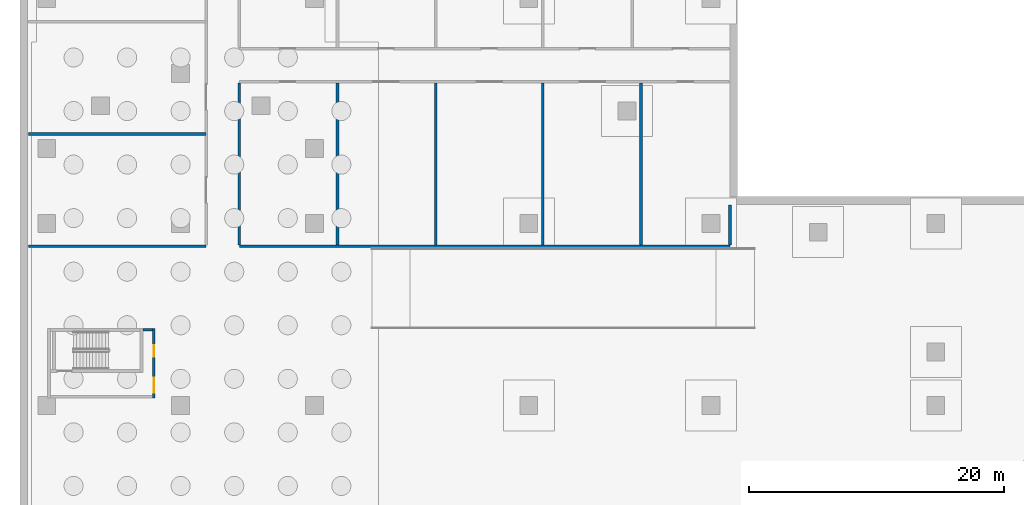
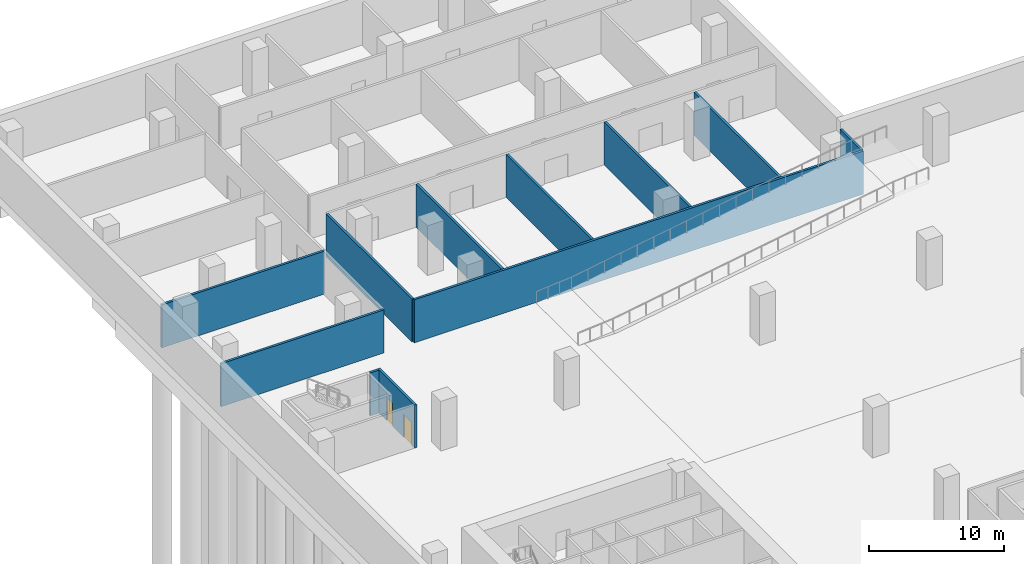
# One storey, part 7 of 13: 11 walls, 2 doors, 2 openings.
"""IFC4 building model written with IfcOpenShell, lengths in metres."""

from ifc_helpers import new_model, si_unit, direction, frame, frame_2d, origin, place, context, subcontext, project, spatial, rectangle, extrude, source, transform, mapped, material, layer, layer_set, type_object, element, fill, save


model = new_model("IFC4")

# Units and contexts
model_context = context("Model", 3, precision=1e-05, world=origin(), true_north=direction((0.0, 1.0)))
body_context = subcontext(model_context, "Body", "Model", "MODEL_VIEW")
ifc_project = project(units=[si_unit("LENGTHUNIT", "METRE"), si_unit("AREAUNIT", "SQUARE_METRE"), si_unit("VOLUMEUNIT", "CUBIC_METRE"), si_unit("PLANEANGLEUNIT", "RADIAN"), si_unit("MASSUNIT", "GRAM", prefix="KILO")], contexts=[model_context])

# Site, building, storey
site_placement = place(None, origin())
site = spatial("IfcSite", under=ifc_project, at=site_placement, CompositionType="ELEMENT")
building_placement = place(site_placement, origin())
building = spatial("IfcBuilding", under=site, at=building_placement, Name="Aurelian Terraces", CompositionType="ELEMENT")
storey_placement = place(building_placement, frame((0.0, 0.0, -13.5)))
storey = spatial("IfcBuildingStorey", under=building, at=storey_placement, Name="B3", CompositionType="ELEMENT", Elevation=-13.5)

# Walls
ifc_material_1 = material(Name="Gypsum board on steel studs", Category="steel")
ifc_layer_1 = layer(ifc_material_1, 0.2)
ifc_layer_set_1 = layer_set([ifc_layer_1], Name="Basement partition 200")
wall_type_1 = type_object("IfcWallType", Name="Basement partition 200", PredefinedType="PARTITIONING", material=ifc_layer_set_1)
wall_1_placement = place(storey_placement, frame((-1.44, 50.3, 0.0), z_axis=(0.0, 0.0, 1.0), x_axis=(1.0, 0.0, 0.0)))
element("IfcWall", 1, at=wall_1_placement, inside=storey, type_object=wall_type_1, Name="B3 partition 004", PredefinedType="PARTITIONING", context=body_context, shape_type="SweptSolid", body=[
    extrude(rectangle(XDim=13.94, YDim=0.2, at=frame_2d((6.97, 0.0))), origin(), (0.0, 0.0, 1.0), 3.9),
])
wall_2_placement = place(storey_placement, frame((15.1, 50.3, 0.0), z_axis=(0.0, 0.0, 1.0), x_axis=(1.0, 0.0, 0.0)))
element("IfcWall", 2, at=wall_2_placement, inside=storey, type_object=wall_type_1, Name="B3 partition 005", PredefinedType="PARTITIONING", context=body_context, shape_type="SweptSolid", body=[
    extrude(rectangle(XDim=38.48, YDim=0.2, at=frame_2d((19.24, 0.0))), origin(), (0.0, 0.0, 1.0), 3.9),
])
wall_3_placement = place(storey_placement, frame((15.1, 50.4, 0.0), z_axis=(0.0, 0.0, 1.0), x_axis=(0.0, 1.0, 0.0)))
element("IfcWall", 3, at=wall_3_placement, inside=storey, type_object=wall_type_1, Name="B3 partition 014", PredefinedType="PARTITIONING", context=body_context, shape_type="SweptSolid", body=[
    extrude(rectangle(XDim=12.7, YDim=0.2, at=frame_2d((6.35, 0.0))), origin(), (0.0, 0.0, 1.0), 3.9),
])
wall_4_placement = place(storey_placement, frame((53.58, 50.4, 0.0), z_axis=(0.0, 0.0, 1.0), x_axis=(0.0, 1.0, 0.0)))
element("IfcWall", 4, at=wall_4_placement, inside=storey, type_object=wall_type_1, Name="B3 partition 031", PredefinedType="PARTITIONING", context=body_context, shape_type="SweptSolid", body=[
    extrude(rectangle(XDim=3.12, YDim=0.2, at=frame_2d((1.56, 0.0))), origin(), (0.0, 0.0, 1.0), 3.9),
])

# Wall, openings, doors
ifc_layer_2 = layer(ifc_material_1, 0.2)
ifc_layer_set_2 = layer_set([ifc_layer_2], Name="Core partition 200")
wall_type_2 = type_object("IfcWallType", Name="Core partition 200", PredefinedType="PARTITIONING", material=ifc_layer_set_2)
shared_shape_1 = source(origin(), body_context, "Body", "SweptSolid", [
    extrude(rectangle(XDim=5.45, YDim=0.2, at=frame_2d((2.725, 0.0))), origin(), (0.0, 0.0, 1.0), 3.9),
])
wall_5_placement = place(storey_placement, frame((8.4, 38.4, 0.0), z_axis=(0.0, 0.0, 1.0), x_axis=(0.0, 1.0, 0.0)))
wall_5 = element("IfcWall", 5, at=wall_5_placement, inside=storey, type_object=wall_type_2, Name="B3 core wall ST-S3-BN", PredefinedType="PARTITIONING", context=body_context, shape_type="MappedRepresentation", body=[
    mapped(shared_shape_1, transform((0.0, 0.0, 0.0), scale=1.0)),
])
shared_shape_2 = source(origin(), body_context, "Body", "SweptSolid", [
    extrude(rectangle(XDim=1.2, YDim=2.1, at=frame_2d((0.6, 1.05))), frame((0.0, 0.11, 0.0), z_axis=(0.0, -1.0, 0.0), x_axis=(1.0, 0.0, 0.0)), (0.0, 0.0, 1.0), 0.22),
])
opening_1_placement = place(wall_5_placement, frame((0.4, 0.0, 0.0)))
opening_1 = element("IfcOpeningElement", 6, at=opening_1_placement, cuts=wall_5, Name="Opening 60018", PredefinedType="OPENING", context=body_context, shape_type="MappedRepresentation", body=[
    mapped(shared_shape_2, transform((0.0, 0.0, 0.0), scale=1.0)),
])
shared_shape_3 = source(origin(), body_context, "Body", "SweptSolid", [
    extrude(rectangle(XDim=0.9, YDim=2.1, at=frame_2d((0.45, 1.05))), frame((0.0, 0.11, 0.0), z_axis=(0.0, -1.0, 0.0), x_axis=(1.0, 0.0, 0.0)), (0.0, 0.0, 1.0), 0.22),
])
opening_2_placement = place(wall_5_placement, frame((3.25, 0.0, 0.0)))
opening_2 = element("IfcOpeningElement", 7, at=opening_2_placement, cuts=wall_5, Name="Opening 60019", PredefinedType="OPENING", context=body_context, shape_type="MappedRepresentation", body=[
    mapped(shared_shape_3, transform((0.0, 0.0, 0.0), scale=1.0)),
])
ifc_material_2 = material(Name="Steel door leaf", Category="steel")
door_type_1 = type_object("IfcDoorType", Name="Core riser door 900x2100 right", OperationType="SINGLE_SWING_RIGHT", PredefinedType="DOOR", material=ifc_material_2)
shared_shape_4 = source(origin(), body_context, "Body", "SweptSolid", [
    extrude(rectangle(XDim=0.9, YDim=2.1, at=frame_2d((0.45, 1.05))), frame((0.0, 0.025, 0.0), z_axis=(0.0, -1.0, 0.0), x_axis=(1.0, 0.0, 0.0)), (0.0, 0.0, 1.0), 0.05),
])
door_1_placement = place(opening_2_placement, origin())
door_1 = element("IfcDoor", 8, at=door_1_placement, inside=storey, type_object=door_type_1, Name="Riser door 60019", OperationType="SINGLE_SWING_RIGHT", OverallHeight=2.1, OverallWidth=0.9, PredefinedType="DOOR", context=body_context, shape_type="MappedRepresentation", body=[
    mapped(shared_shape_4, transform((0.0, 0.0, 0.0), scale=1.0)),
])
fill(opening_2, door_1)
door_type_2 = type_object("IfcDoorType", Name="Core fire door 1200x2100", OperationType="SINGLE_SWING_LEFT", PredefinedType="DOOR", material=ifc_material_2)
shared_shape_5 = source(origin(), body_context, "Body", "SweptSolid", [
    extrude(rectangle(XDim=1.2, YDim=2.1, at=frame_2d((0.6, 1.05))), frame((0.0, 0.025, 0.0), z_axis=(0.0, -1.0, 0.0), x_axis=(1.0, 0.0, 0.0)), (0.0, 0.0, 1.0), 0.05),
])
door_2_placement = place(opening_1_placement, origin())
door_2 = element("IfcDoor", 9, at=door_2_placement, inside=storey, type_object=door_type_2, Name="Vestibule door 60018", OperationType="SINGLE_SWING_LEFT", OverallHeight=2.1, OverallWidth=1.2, PredefinedType="DOOR", context=body_context, shape_type="MappedRepresentation", body=[
    mapped(shared_shape_5, transform((0.0, 0.0, 0.0), scale=1.0)),
])
fill(opening_1, door_2)

# Walls
shared_shape_6 = source(origin(), body_context, "Body", "SweptSolid", [
    extrude(rectangle(XDim=0.75, YDim=0.2, at=frame_2d((0.375, 0.0))), origin(), (0.0, 0.0, 1.0), 3.9),
])
wall_6_placement = place(storey_placement, frame((7.55, 43.75, 0.0), z_axis=(0.0, 0.0, 1.0), x_axis=(1.0, 0.0, 0.0)))
element("IfcWall", 10, at=wall_6_placement, inside=storey, type_object=wall_type_2, Name="B3 core wall ST-S3-RE", PredefinedType="PARTITIONING", context=body_context, shape_type="MappedRepresentation", body=[
    mapped(shared_shape_6, transform((0.0, 0.0, 0.0), scale=1.0)),
])
shared_shape_7 = source(origin(), body_context, "Body", "SweptSolid", [
    extrude(rectangle(XDim=13.94, YDim=0.2, at=frame_2d((6.97, 0.0))), origin(), (0.0, 0.0, 1.0), 3.9),
])
wall_7_placement = place(storey_placement, frame((-1.44, 59.1, 0.0), z_axis=(0.0, 0.0, 1.0), x_axis=(1.0, 0.0, 0.0)))
element("IfcWall", 11, at=wall_7_placement, inside=storey, type_object=wall_type_1, Name="B3 partition 006", PredefinedType="PARTITIONING", context=body_context, shape_type="MappedRepresentation", body=[
    mapped(shared_shape_7, transform((0.0, 0.0, 0.0), scale=1.0)),
])
shared_shape_8 = source(origin(), body_context, "Body", "SweptSolid", [
    extrude(rectangle(XDim=12.7, YDim=0.2, at=frame_2d((6.35, 0.0))), origin(), (0.0, 0.0, 1.0), 3.9),
])
for number, where, z_axis, x_axis, name in (
    (12, (22.8, 50.4, 0.0), (0.0, 0.0, 1.0), (0.0, 1.0, 0.0), "B3 partition 017"),
    (13, (30.5, 50.4, 0.0), (0.0, 0.0, 1.0), (0.0, 1.0, 0.0), "B3 partition 020"),
    (14, (38.9, 50.4, 0.0), (0.0, 0.0, 1.0), (0.0, 1.0, 0.0), "B3 partition 023"),
    (15, (46.6, 50.4, 0.0), (0.0, 0.0, 1.0), (0.0, 1.0, 0.0), "B3 partition 028"),
):
    element("IfcWall", number, at=place(storey_placement, frame(where, z_axis=z_axis, x_axis=x_axis)), inside=storey, type_object=wall_type_1, Name=name, PredefinedType="PARTITIONING", context=body_context, shape_type="MappedRepresentation", body=[
        mapped(shared_shape_8, transform((0.0, 0.0, 0.0), scale=1.0)),
    ])

save(model, "model.ifc")
